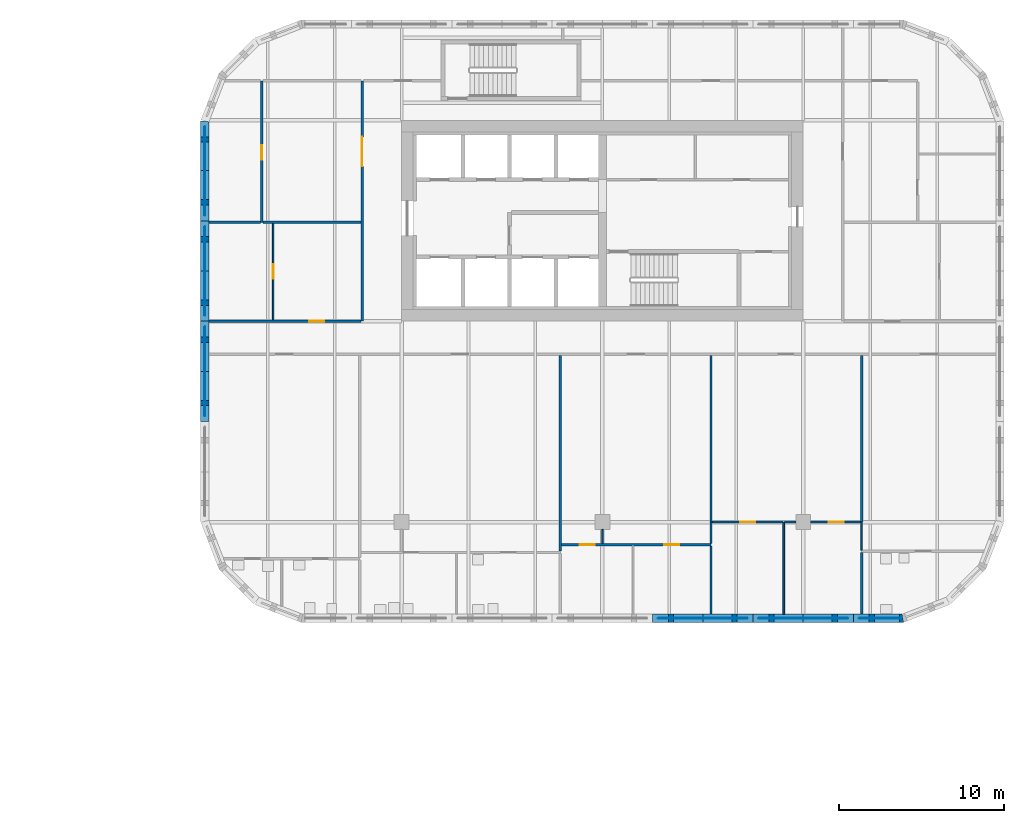
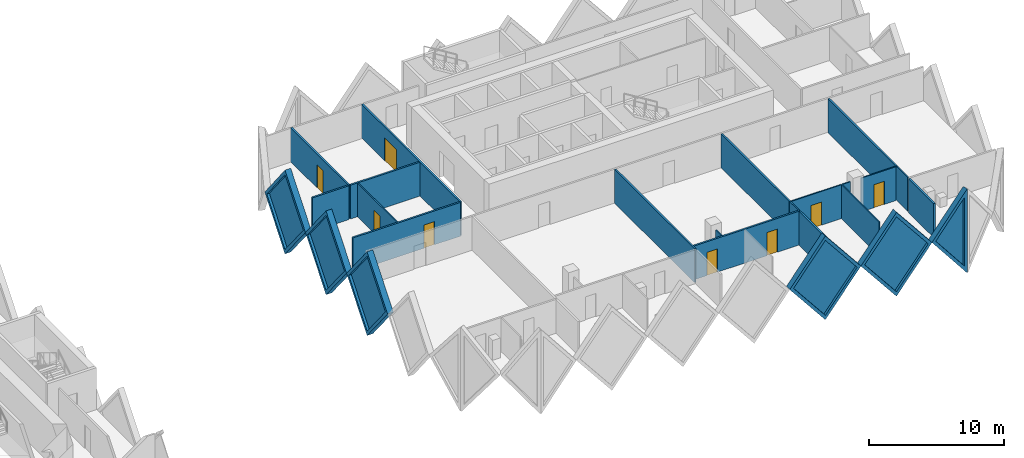
# One storey, part 12 of 20: 25 walls, 8 doors, 6 plates, 14 openings.
"""IFC4 building model written with IfcOpenShell, lengths in metres."""

import ifcopenshell
import ifcopenshell.guid

model = None  # the IFC model being written
_history = None  # IfcOwnerHistory: only IFC2X3 demands one
_inside = {}  # id of a spatial element -> (the spatial element, [elements in it])
_under = {}  # id of a project, library or spatial element -> (it, [spatial elements below it])
_declared = {}  # id of a project -> (the project, [libraries it declares])
_typed = {}  # id of a type object -> (the type object, [elements of that type])
_made_of = {}  # id of a material, layer set ... -> (it, [elements and type objects made of it])


def new_model(schema):
    """Start an empty IFC model of exactly this schema.

    Asked for "IFC4X3", IfcOpenShell would pick the latest addendum, in which some entities
    have other attributes; the version numbers below select the first issue.
    IFC2X3 requires an IfcOwnerHistory on every rooted entity: one is made here for all.
    """
    global model, _history
    if schema == "IFC4X3":
        model = ifcopenshell.file(schema_version=(4, 3, 0, 0))
    else:
        model = ifcopenshell.file(schema=schema)
    _inside.clear()
    _under.clear()
    _declared.clear()
    _typed.clear()
    _made_of.clear()
    _history = None
    if model.schema == "IFC2X3":
        org = make("IfcOrganization", Name="unknown")
        user = make(
            "IfcPersonAndOrganization",
            ThePerson=make("IfcPerson", FamilyName="unknown"),
            TheOrganization=org,
        )
        app = make(
            "IfcApplication",
            ApplicationDeveloper=org,
            Version="unknown",
            ApplicationFullName="unknown",
            ApplicationIdentifier="unknown",
        )
        _history = make(
            "IfcOwnerHistory",
            OwningUser=user,
            OwningApplication=app,
            ChangeAction="ADDED",
            CreationDate=0,
        )
    return model


def make(cls, **values):
    """One entity of the class cls with the attributes given. An attribute that is None is left unset."""
    return model.create_entity(
        cls, **{name: value for name, value in values.items() if value is not None}
    )


def rooted(cls, **values):
    """An entity with a GlobalId (a new one), such as an element, a storey or a relation."""
    return make(cls, GlobalId=ifcopenshell.guid.new(), OwnerHistory=_history, **values)


def si_unit(unit_type, name, prefix=None):
    """IfcSIUnit, for example si_unit("LENGTHUNIT", "METRE", prefix="MILLI")."""
    return make("IfcSIUnit", UnitType=unit_type, Prefix=prefix, Name=name)


def assignment(units):
    """IfcUnitAssignment: the units of a project."""
    return None if units is None else make("IfcUnitAssignment", Units=units)


def point(xyz):
    """IfcCartesianPoint."""
    return None if xyz is None else make("IfcCartesianPoint", Coordinates=xyz)


def direction(xyz):
    """IfcDirection."""
    return None if xyz is None else make("IfcDirection", DirectionRatios=xyz)


def frame(location, z_axis=None, x_axis=None):
    """IfcAxis2Placement3D, a coordinate frame: its origin and axes. An axis left out is left unset."""
    return make(
        "IfcAxis2Placement3D",
        Location=point(location),
        Axis=direction(z_axis),
        RefDirection=direction(x_axis),
    )


def frame_2d(location, x_axis=None):
    """IfcAxis2Placement2D, a coordinate frame in the plane: its origin and x axis."""
    return make(
        "IfcAxis2Placement2D", Location=point(location), RefDirection=direction(x_axis)
    )


def origin():
    """The frame at (0, 0, 0) with its axes left unset."""
    return frame((0.0, 0.0, 0.0))


def place(relative_to, where):
    """IfcLocalPlacement: puts the frame where relative to a parent placement (None: the world)."""
    return make(
        "IfcLocalPlacement", PlacementRelTo=relative_to, RelativePlacement=where
    )


def context(
    kind, dimensions, precision=None, world=None, true_north=None, identifier=None
):
    """IfcGeometricRepresentationContext, for example the 3D "Model" context."""
    return make(
        "IfcGeometricRepresentationContext",
        ContextIdentifier=identifier,
        ContextType=kind,
        CoordinateSpaceDimension=dimensions,
        Precision=precision,
        WorldCoordinateSystem=world,
        TrueNorth=true_north,
    )


def subcontext(parent, identifier, kind, view, scale=None):
    """IfcGeometricRepresentationSubContext, for example "Body" below "Model"."""
    return make(
        "IfcGeometricRepresentationSubContext",
        ContextIdentifier=identifier,
        ContextType=kind,
        ParentContext=parent,
        TargetScale=scale,
        TargetView=view,
    )


def project(units=None, contexts=None):
    """IfcProject with its units and contexts."""
    return rooted(
        "IfcProject",
        Name="project",
        RepresentationContexts=contexts,
        UnitsInContext=assignment(units),
    )


def spatial(cls, under=None, at=None, **own):
    """A site, building, storey or space (cls), placed at a placement, below another one or the project."""
    s = rooted(cls, ObjectPlacement=at, **own)
    if under is not None:
        _under.setdefault(under.id(), (under, []))[1].append(s)
    return s


def polyline(points):
    """IfcPolyline through the points."""
    return make("IfcPolyline", Points=[point(p) for p in points])


def profile(cls, at=None, kind="AREA", **sizes):
    """A parametric profile (cls). Its sizes go by their IFC names, for example OverallWidth=200.0."""
    return make(cls, ProfileType=kind, Position=at, **sizes)


def rectangle(**sizes):
    """IfcRectangleProfileDef."""
    return profile("IfcRectangleProfileDef", **sizes)


def outline(outer, holes=None, kind="AREA"):
    """IfcArbitraryClosedProfileDef: a profile drawn as a closed curve; with holes, ...WithVoids."""
    if holes is None:
        return make("IfcArbitraryClosedProfileDef", ProfileType=kind, OuterCurve=outer)
    return make(
        "IfcArbitraryProfileDefWithVoids",
        ProfileType=kind,
        OuterCurve=outer,
        InnerCurves=holes,
    )


def extrude(swept, where, along, depth):
    """IfcExtrudedAreaSolid: the profile swept, set in the frame where, extruded along a direction by depth."""
    return make(
        "IfcExtrudedAreaSolid",
        SweptArea=swept,
        Position=where,
        ExtrudedDirection=direction(along),
        Depth=depth,
    )


def faces_of(points, faces, orient=None, outer=None):
    """IfcFace entities. A face is a list of loops; a loop is a list of indices into points, from 0.

    orient and outer hold one flag for each loop. By default every Orientation is true, the
    first loop of a face is its IfcFaceOuterBound and the others are IfcFaceBound.
    """
    made = []
    for i, loops in enumerate(faces):
        bounds = []
        for j, loop in enumerate(loops):
            is_outer = j == 0 if outer is None else outer[i][j]
            bounds.append(
                make(
                    "IfcFaceOuterBound" if is_outer else "IfcFaceBound",
                    Bound=make("IfcPolyLoop", Polygon=[points[k] for k in loop]),
                    Orientation=True if orient is None else orient[i][j],
                )
            )
        made.append(make("IfcFace", Bounds=bounds))
    return made


def faceted_brep(points, faces, orient=None, outer=None, voids=None):
    """IfcFacetedBrep: a solid bounded by flat faces; with voids (closed shells), ...WithVoids."""
    shared = [point(p) for p in points]
    hull = make("IfcClosedShell", CfsFaces=faces_of(shared, faces, orient, outer))
    if voids is None:
        return make("IfcFacetedBrep", Outer=hull)
    return make(
        "IfcFacetedBrepWithVoids",
        Outer=hull,
        Voids=[
            make(cls, CfsFaces=faces_of(shared, fs, o, b)) for cls, fs, o, b in voids
        ],
    )


def shape(context_of_items, identifier, shape_type, items):
    """IfcShapeRepresentation: the items that make up one representation, for example the "Body"."""
    return make(
        "IfcShapeRepresentation",
        ContextOfItems=context_of_items,
        RepresentationIdentifier=identifier,
        RepresentationType=shape_type,
        Items=items,
    )


def source(mapping_origin, context_of_items, identifier, shape_type, items):
    """IfcRepresentationMap: a shape defined once, which mapped items show again and again."""
    return make(
        "IfcRepresentationMap",
        MappingOrigin=mapping_origin,
        MappedRepresentation=shape(context_of_items, identifier, shape_type, items),
    )


def transform(
    local_origin,
    x_axis=None,
    y_axis=None,
    z_axis=None,
    scale=None,
    scale2=None,
    scale3=None,
    uniform=True,
):
    """IfcCartesianTransformationOperator3D, or its non-uniform kind. x_axis, y_axis, z_axis: its Axis1, 2, 3."""
    if uniform:
        return make(
            "IfcCartesianTransformationOperator3D",
            Axis1=direction(x_axis),
            Axis2=direction(y_axis),
            LocalOrigin=point(local_origin),
            Scale=scale,
            Axis3=direction(z_axis),
        )
    return make(
        "IfcCartesianTransformationOperator3DnonUniform",
        Axis1=direction(x_axis),
        Axis2=direction(y_axis),
        LocalOrigin=point(local_origin),
        Scale=scale,
        Axis3=direction(z_axis),
        Scale2=scale2,
        Scale3=scale3,
    )


def mapped(mapping_source, mapping_target):
    """IfcMappedItem: shows the shape of a source again, moved by a transform."""
    return make(
        "IfcMappedItem", MappingSource=mapping_source, MappingTarget=mapping_target
    )


def material(Name=None, Category=None):
    """IfcMaterial."""
    return make("IfcMaterial", Name=Name, Category=Category)


def layer(
    of_material, thickness, ventilated=None, Name=None, Category=None, Priority=None
):
    """IfcMaterialLayer: one layer of a wall or slab, of a material (None: an air gap)."""
    return make(
        "IfcMaterialLayer",
        Material=of_material,
        LayerThickness=thickness,
        IsVentilated=ventilated,
        Name=Name,
        Category=Category,
        Priority=Priority,
    )


def layer_set(layers, Name=None):
    """IfcMaterialLayerSet."""
    return make("IfcMaterialLayerSet", MaterialLayers=layers, LayerSetName=Name)


def made_of(thing, what):
    """Note that an element or type object is made of a material, layer set ...; save() writes the relation."""
    if what is not None:
        _made_of.setdefault(what.id(), (what, []))[1].append(thing)
    return thing


def type_object(cls, material=None, **own):
    """A type object (cls), such as IfcWallType, which elements share."""
    return made_of(rooted(cls, **own), material)


def element(
    cls,
    number,
    at=None,
    inside=None,
    cuts=None,
    type_object=None,
    material=None,
    context=None,
    identifier="Body",
    shape_type=None,
    held_by="IfcProductDefinitionShape",
    body=None,
    shapes=None,
    **own,
):
    """One element of the class cls, such as IfcWall. Its Tag is "e" and its number.

    at: its placement. inside: the storey or other place that contains it. cuts: it is an
    opening in that element (IfcRelVoidsElement). A single representation is given by context,
    identifier, shape_type and body (its items); several are given by shapes. held_by: the class
    of the entity that holds the representations. save() writes the other relations.
    """
    e = rooted(cls, Tag="e%d" % number, ObjectPlacement=at, **own)
    if body is not None:
        shapes = [shape(context, identifier, shape_type, body)]
    if shapes is not None:
        e.Representation = make(held_by, Representations=shapes)
    if inside is not None:
        _inside.setdefault(inside.id(), (inside, []))[1].append(e)
    if cuts is not None:
        rooted(
            "IfcRelVoidsElement", RelatingBuildingElement=cuts, RelatedOpeningElement=e
        )
    if type_object is not None:
        _typed.setdefault(type_object.id(), (type_object, []))[1].append(e)
    return made_of(e, material)


def fill(opening, filler):
    """IfcRelFillsElement: the door or window that sits in an opening."""
    return rooted(
        "IfcRelFillsElement",
        RelatingOpeningElement=opening,
        RelatedBuildingElement=filler,
    )


def aggregate(whole, parts):
    """IfcRelAggregates: a whole, such as a stair, and the parts it consists of."""
    return rooted("IfcRelAggregates", RelatingObject=whole, RelatedObjects=parts)


def save(model, path):
    """Write the relations noted so far, then the file.

    IfcRelAggregates (storeys below a building ...), IfcRelContainedInSpatialStructure (elements
    in a storey), IfcRelDefinesByType, IfcRelAssociatesMaterial and IfcRelDeclares: one each for
    every whole, place, type object, material and project.
    """
    for whole, parts in _under.values():
        aggregate(whole, parts)
    for where, things in _inside.values():
        rooted(
            "IfcRelContainedInSpatialStructure",
            RelatedElements=things,
            RelatingStructure=where,
        )
    for kind, things in _typed.values():
        rooted("IfcRelDefinesByType", RelatedObjects=things, RelatingType=kind)
    for what, things in _made_of.values():
        rooted("IfcRelAssociatesMaterial", RelatedObjects=things, RelatingMaterial=what)
    for by, libraries in _declared.values():
        rooted("IfcRelDeclares", RelatingContext=by, RelatedDefinitions=libraries)
    model.write(path)


model = new_model("IFC4")

# Units and contexts
model_context = context("Model", 3, precision=1e-05, world=origin(), true_north=direction((0.0, 1.0)))
body_context = subcontext(model_context, "Body", "Model", "MODEL_VIEW")
ifc_project = project(units=[si_unit("LENGTHUNIT", "METRE"), si_unit("AREAUNIT", "SQUARE_METRE"), si_unit("VOLUMEUNIT", "CUBIC_METRE"), si_unit("PLANEANGLEUNIT", "RADIAN"), si_unit("MASSUNIT", "GRAM", prefix="KILO")], contexts=[model_context])

# Site, building, storey
site_placement = place(None, origin())
site = spatial("IfcSite", under=ifc_project, at=site_placement, CompositionType="ELEMENT")
building_placement = place(site_placement, origin())
building = spatial("IfcBuilding", under=site, at=building_placement, Name="Tessera Gate Towers", CompositionType="ELEMENT")
storey_placement = place(building_placement, frame((0.0, 0.0, 48.60009765625)))
storey = spatial("IfcBuildingStorey", under=building, at=storey_placement, Name="L11", CompositionType="ELEMENT", Elevation=48.60009765625)

# Wall, opening, door
ifc_material_1 = material(Name="Gypsum board on steel studs, mineral wool", Category="steel")
ifc_layer_1 = layer(ifc_material_1, 0.14990234375)
ifc_layer_set_1 = layer_set([ifc_layer_1], Name="CORRIDOR WALL 150")
wall_type_1 = type_object("IfcWallType", Name="CORRIDOR WALL 150", PredefinedType="PARTITIONING", material=ifc_layer_set_1)
wall_1_placement = place(storey_placement, frame((85.89990234375, 36.60009765625, 0.0), z_axis=(0.0, 0.0, 1.0), x_axis=(1.0, 0.0, 0.0)))
wall_1 = element("IfcWall", 1, at=wall_1_placement, inside=storey, type_object=wall_type_1, Name="T2-L11-PW-025", PredefinedType="PARTITIONING", context=body_context, shape_type="SweptSolid", body=[
    extrude(rectangle(XDim=9.22412109375, YDim=0.14990234375, at=frame_2d((4.612060546875, 0.0))), origin(), (0.0, 0.0, 1.0), 3.06689453125),
])
shared_shape_1 = source(origin(), body_context, "Body", "SweptSolid", [
    extrude(rectangle(XDim=0.89990234375, YDim=2.10009765625, at=frame_2d((0.449951171875, 1.050048828125))), frame((0.0, 0.0849609375, 0.0), z_axis=(0.0, -1.0, 0.0), x_axis=(1.0, 0.0, 0.0)), (0.0, 0.0, 1.0), 0.169921875),
])
opening_1_placement = place(wall_1_placement, frame((6.10009765625, 0.0, 0.0)))
opening_1 = element("IfcOpeningElement", 2, at=opening_1_placement, cuts=wall_1, Name="Opening D890FD60-B05-02", PredefinedType="OPENING", context=body_context, shape_type="MappedRepresentation", body=[
    mapped(shared_shape_1, transform((0.0, 0.0, 0.0), scale=1.0)),
])
ifc_material_2 = material(Name="Timber door leaf in steel frame", Category="steel")
door_type_1 = type_object("IfcDoorType", Name="CORRIDOR DOOR 900 FD60", OperationType="NOTDEFINED", PredefinedType="DOOR", material=ifc_material_2)
shared_shape_2 = source(origin(), body_context, "Body", "SweptSolid", [
    extrude(rectangle(XDim=0.89990234375, YDim=2.10009765625, at=frame_2d((0.449951171875, 1.050048828125))), frame((0.0, 0.02490234375, 0.0), z_axis=(0.0, -1.0, 0.0), x_axis=(1.0, 0.0, 0.0)), (0.0, 0.0, 1.0), 0.050048828125),
])
door_1_placement = place(opening_1_placement, origin())
door_1 = element("IfcDoor", 3, at=door_1_placement, inside=storey, type_object=door_type_1, Name="T2-L11-PD-022", OperationType="SINGLE_SWING_LEFT", OverallHeight=2.10009765625, OverallWidth=0.89990234375, PredefinedType="DOOR", context=body_context, shape_type="MappedRepresentation", body=[
    mapped(shared_shape_2, transform((0.0, 0.0, 0.0), scale=1.0)),
])
fill(opening_1, door_1)

wall_2_placement = place(storey_placement, frame((95.199951171875, 36.60009765625, 0.0), z_axis=(0.0, 0.0, 1.0), x_axis=(0.0, 1.0, 0.0)))
wall_2 = element("IfcWall", 4, at=wall_2_placement, inside=storey, type_object=wall_type_1, Name="T2-L11-PW-026", PredefinedType="PARTITIONING", context=body_context, shape_type="SweptSolid", body=[
    extrude(rectangle(XDim=14.599853515625, YDim=0.14990234375, at=frame_2d((7.2998046875, 0.0))), origin(), (0.0, 0.0, 1.0), 3.06689453125),
])
shared_shape_3 = source(origin(), body_context, "Body", "SweptSolid", [
    extrude(rectangle(XDim=1.800048828125, YDim=2.10009765625, at=frame_2d((0.89990234375, 1.050048828125))), frame((0.0, 0.0849609375, 0.0), z_axis=(0.0, -1.0, 0.0), x_axis=(1.0, 0.0, 0.0)), (0.0, 0.0, 1.0), 0.169921875),
])
opening_2_placement = place(wall_2_placement, frame((9.39990234375, 0.0, 0.0)))
opening_2 = element("IfcOpeningElement", 5, at=opening_2_placement, cuts=wall_2, Name="Opening D2180FD60-B05-01", PredefinedType="OPENING", context=body_context, shape_type="MappedRepresentation", body=[
    mapped(shared_shape_3, transform((0.0, 0.0, 0.0), scale=1.0)),
])
ifc_material_3 = material(Name="Timber door leaf in steel frame", Category="steel")
door_type_2 = type_object("IfcDoorType", Name="TENANCY ENTRANCE DOUBLE DOOR 1800 FD60", OperationType="NOTDEFINED", PredefinedType="DOOR", material=ifc_material_3)
shared_shape_4 = source(origin(), body_context, "Body", "SweptSolid", [
    extrude(rectangle(XDim=1.800048828125, YDim=2.10009765625, at=frame_2d((0.89990234375, 1.050048828125))), frame((0.0, 0.02490234375, 0.0), z_axis=(0.0, -1.0, 0.0), x_axis=(1.0, 0.0, 0.0)), (0.0, 0.0, 1.0), 0.050048828125),
])
door_2_placement = place(opening_2_placement, origin())
door_2 = element("IfcDoor", 6, at=door_2_placement, inside=storey, type_object=door_type_2, Name="T2-L11-PD-016", OperationType="DOUBLE_DOOR_SINGLE_SWING", OverallHeight=2.10009765625, OverallWidth=1.800048828125, PredefinedType="DOOR", context=body_context, shape_type="MappedRepresentation", body=[
    mapped(shared_shape_4, transform((0.0, 0.0, 0.0), scale=1.0)),
])
fill(opening_2, door_2)

# Walls
ifc_material_4 = material(Name="Glass", Category="glass")
ifc_layer_2 = layer(ifc_material_4, 0.10009765625)
ifc_layer_set_2 = layer_set([ifc_layer_2], Name="GLAZED PARTITION 100")
wall_type_2 = type_object("IfcWallType", Name="GLAZED PARTITION 100", PredefinedType="PARTITIONING", material=ifc_layer_set_2)
wall_3_placement = place(storey_placement, frame((125.550048828125, 22.700927734375, 0.0), z_axis=(0.0, 0.0, 1.0), x_axis=(0.0, 1.0, 0.0)))
element("IfcWall", 7, at=wall_3_placement, inside=storey, type_object=wall_type_2, Name="T2-L11-PW-014", PredefinedType="PARTITIONING", context=body_context, shape_type="SweptSolid", body=[
    extrude(rectangle(XDim=1.697998046875, YDim=0.10009765625, at=frame_2d((0.84912109375, 0.0))), origin(), (0.0, 0.0, 1.0), 3.06689453125),
])
wall_4_placement = place(storey_placement, frame((116.39990234375, 23.10107421875, 0.0), z_axis=(0.0, 0.0, 1.0), x_axis=(0.0, 1.0, 0.0)))
element("IfcWall", 8, at=wall_4_placement, inside=storey, type_object=wall_type_2, Name="T2-L11-PW-016", PredefinedType="PARTITIONING", context=body_context, shape_type="SweptSolid", body=[
    extrude(rectangle(XDim=1.2978515625, YDim=0.10009765625, at=frame_2d((0.64892578125, 0.0))), origin(), (0.0, 0.0, 1.0), 3.06689453125),
])

# Wall, opening, door
wall_5_placement = place(storey_placement, frame((120.769287109375, 24.39990234375, 0.0), z_axis=(0.0, 0.0, 1.0), x_axis=(-1.0, 0.0, 0.0)))
wall_5 = element("IfcWall", 9, at=wall_5_placement, inside=storey, type_object=wall_type_2, Name="T2-L11-PW-020", PredefinedType="PARTITIONING", context=body_context, shape_type="SweptSolid", body=[
    extrude(rectangle(XDim=4.293212890625, YDim=0.10009765625, at=frame_2d((2.146484375, 0.0))), origin(), (0.0, 0.0, 1.0), 3.06689453125),
])
shared_shape_5 = source(origin(), body_context, "Body", "SweptSolid", [
    extrude(rectangle(XDim=0.89990234375, YDim=2.10009765625, at=frame_2d((0.449951171875, 1.050048828125))), frame((0.0, 0.06005859375, 0.0), z_axis=(0.0, -1.0, 0.0), x_axis=(1.0, 0.0, 0.0)), (0.0, 0.0, 1.0), 0.1201171875),
])
opening_3_placement = place(wall_5_placement, frame((1.693359375, 0.0, 0.0)))
opening_3 = element("IfcOpeningElement", 10, at=opening_3_placement, cuts=wall_5, Name="Opening D690-B05-02", PredefinedType="OPENING", context=body_context, shape_type="MappedRepresentation", body=[
    mapped(shared_shape_5, transform((0.0, 0.0, 0.0), scale=1.0)),
])
ifc_material_5 = material(Name="Glass in aluminium frame", Category="aluminium")
door_type_3 = type_object("IfcDoorType", Name="GLAZED DOOR 900 NOT RATED", OperationType="NOTDEFINED", PredefinedType="DOOR", material=ifc_material_5)
door_3_placement = place(opening_3_placement, origin())
door_3 = element("IfcDoor", 11, at=door_3_placement, inside=storey, type_object=door_type_3, Name="T2-L11-PD-004", OperationType="SINGLE_SWING_RIGHT", OverallHeight=2.10009765625, OverallWidth=0.89990234375, PredefinedType="DOOR", context=body_context, shape_type="MappedRepresentation", body=[
    mapped(shared_shape_2, transform((0.0, 0.0, 0.0), scale=1.0)),
])
fill(opening_3, door_3)

# Wall
wall_6_placement = place(storey_placement, frame((120.871337890625, 24.39990234375, 0.0), z_axis=(0.0, 0.0, 1.0), x_axis=(1.0, 0.0, 0.0)))
element("IfcWall", 12, at=wall_6_placement, inside=storey, type_object=wall_type_2, Name="T2-L11-PW-021", PredefinedType="PARTITIONING", context=body_context, shape_type="SweptSolid", body=[
    extrude(rectangle(XDim=0.677734375, YDim=0.10009765625, at=frame_2d((0.3388671875, 0.0))), origin(), (0.0, 0.0, 1.0), 3.06689453125),
])

# Wall, opening, door
wall_7_placement = place(storey_placement, frame((125.47412109375, 24.39990234375, 0.0), z_axis=(0.0, 0.0, 1.0), x_axis=(-1.0, 0.0, 0.0)))
wall_7 = element("IfcWall", 13, at=wall_7_placement, inside=storey, type_object=wall_type_2, Name="T2-L11-PW-022", PredefinedType="PARTITIONING", context=body_context, shape_type="SweptSolid", body=[
    extrude(rectangle(XDim=3.023193359375, YDim=0.10009765625, at=frame_2d((1.51171875, 0.0))), origin(), (0.0, 0.0, 1.0), 3.06689453125),
])
opening_4_placement = place(wall_7_placement, frame((1.02294921875, 0.0, 0.0)))
opening_4 = element("IfcOpeningElement", 14, at=opening_4_placement, cuts=wall_7, Name="Opening D690-B05-01", PredefinedType="OPENING", context=body_context, shape_type="MappedRepresentation", body=[
    mapped(shared_shape_5, transform((0.0, 0.0, 0.0), scale=1.0)),
])
door_4_placement = place(opening_4_placement, origin())
door_4 = element("IfcDoor", 15, at=door_4_placement, inside=storey, type_object=door_type_3, Name="T2-L11-PD-002", OperationType="SINGLE_SWING_RIGHT", OverallHeight=2.10009765625, OverallWidth=0.89990234375, PredefinedType="DOOR", context=body_context, shape_type="MappedRepresentation", body=[
    mapped(shared_shape_2, transform((0.0, 0.0, 0.0), scale=1.0)),
])
fill(opening_4, door_4)

wall_8_placement = place(storey_placement, frame((89.800048828125, 36.676025390625, 0.0), z_axis=(0.0, 0.0, 1.0), x_axis=(0.0, 1.0, 0.0)))
wall_8 = element("IfcWall", 16, at=wall_8_placement, inside=storey, type_object=wall_type_2, Name="T2-L11-PW-029", PredefinedType="PARTITIONING", context=body_context, shape_type="SweptSolid", body=[
    extrude(rectangle(XDim=5.847900390625, YDim=0.10009765625, at=frame_2d((2.923828125, 0.0))), origin(), (0.0, 0.0, 1.0), 3.06689453125),
])
opening_5_placement = place(wall_8_placement, frame((2.5, 0.0, 0.0)))
opening_5 = element("IfcOpeningElement", 17, at=opening_5_placement, cuts=wall_8, Name="Opening D690-B05-03", PredefinedType="OPENING", context=body_context, shape_type="MappedRepresentation", body=[
    mapped(shared_shape_5, transform((0.0, 0.0, 0.0), scale=1.0)),
])
door_5_placement = place(opening_5_placement, origin())
door_5 = element("IfcDoor", 18, at=door_5_placement, inside=storey, type_object=door_type_3, Name="T2-L11-PD-010", OperationType="SINGLE_SWING_LEFT", OverallHeight=2.10009765625, OverallWidth=0.89990234375, PredefinedType="DOOR", context=body_context, shape_type="MappedRepresentation", body=[
    mapped(shared_shape_2, transform((0.0, 0.0, 0.0), scale=1.0)),
])
fill(opening_5, door_5)

# Walls
ifc_material_6 = material(Name="Gypsum board on steel studs", Category="steel")
ifc_layer_3 = layer(ifc_material_6, 0.10009765625)
ifc_layer_set_3 = layer_set([ifc_layer_3], Name="PARTITION 100")
wall_type_3 = type_object("IfcWallType", Name="PARTITION 100", PredefinedType="PARTITIONING", material=ifc_layer_set_3)
wall_9_placement = place(storey_placement, frame((120.820068359375, 18.800048828125, 0.0), z_axis=(0.0, 0.0, 1.0), x_axis=(0.0, 1.0, 0.0)))
element("IfcWall", 19, at=wall_9_placement, inside=storey, type_object=wall_type_3, Name="T2-L11-PW-006", PredefinedType="PARTITIONING", context=body_context, shape_type="SweptSolid", body=[
    extrude(rectangle(XDim=5.599853515625, YDim=0.10009765625, at=frame_2d((2.7998046875, 0.0))), origin(), (0.0, 0.0, 1.0), 3.06689453125),
])
wall_10_placement = place(storey_placement, frame((109.800048828125, 23.949951171875, 0.0), z_axis=(0.0, 0.0, 1.0), x_axis=(0.0, -1.0, 0.0)))
element("IfcWall", 20, at=wall_10_placement, inside=storey, type_object=wall_type_3, Name="T2-L11-PW-018", PredefinedType="PARTITIONING", context=body_context, shape_type="SweptSolid", body=[
    extrude(rectangle(XDim=0.849853515625, YDim=0.10009765625, at=frame_2d((0.4248046875, 0.0))), origin(), (0.0, 0.0, 1.0), 3.06689453125),
])
ifc_material_7 = material(Name="Gypsum board on steel studs, mineral wool", Category="steel")
ifc_layer_4 = layer(ifc_material_7, 0.14990234375)
ifc_layer_set_4 = layer_set([ifc_layer_4], Name="TENANCY WALL 150")
wall_type_4 = type_object("IfcWallType", Name="TENANCY WALL 150", PredefinedType="PARTITIONING", material=ifc_layer_set_4)
wall_11_placement = place(storey_placement, frame((116.39990234375, 18.800048828125, 0.0), z_axis=(0.0, 0.0, 1.0), x_axis=(0.0, 1.0, 0.0)))
element("IfcWall", 21, at=wall_11_placement, inside=storey, type_object=wall_type_4, Name="T2-L11-PW-005", PredefinedType="PARTITIONING", context=body_context, shape_type="SweptSolid", body=[
    extrude(rectangle(XDim=4.14892578125, YDim=0.14990234375, at=frame_2d((2.074462890625, 0.0))), origin(), (0.0, 0.0, 1.0), 3.06689453125),
])
wall_12_placement = place(storey_placement, frame((125.550048828125, 18.800048828125, 0.0), z_axis=(0.0, 0.0, 1.0), x_axis=(0.0, 1.0, 0.0)))
element("IfcWall", 22, at=wall_12_placement, inside=storey, type_object=wall_type_4, Name="T2-L11-PW-007", PredefinedType="PARTITIONING", context=body_context, shape_type="SweptSolid", body=[
    extrude(rectangle(XDim=3.7490234375, YDim=0.14990234375, at=frame_2d((1.87451171875, 0.0))), origin(), (0.0, 0.0, 1.0), 3.06689453125),
])
wall_13_placement = place(storey_placement, frame((107.25, 22.6259765625, 0.0), z_axis=(0.0, 0.0, 1.0), x_axis=(0.0, 1.0, 0.0)))
element("IfcWall", 23, at=wall_13_placement, inside=storey, type_object=wall_type_4, Name="T2-L11-PW-013", PredefinedType="PARTITIONING", context=body_context, shape_type="SweptSolid", body=[
    extrude(rectangle(XDim=11.89794921875, YDim=0.14990234375, at=frame_2d((5.948974609375, 0.0))), origin(), (0.0, 0.0, 1.0), 3.06689453125),
])

# Wall, openings, doors
wall_14_placement = place(storey_placement, frame((116.39990234375, 23.02490234375, 0.0), z_axis=(0.0, 0.0, 1.0), x_axis=(-1.0, 0.0, 0.0)))
wall_14 = element("IfcWall", 24, at=wall_14_placement, inside=storey, type_object=wall_type_4, Name="T2-L11-PW-015", PredefinedType="PARTITIONING", context=body_context, shape_type="SweptSolid", body=[
    extrude(rectangle(XDim=9.073974609375, YDim=0.14990234375, at=frame_2d((4.537109375, 0.0))), origin(), (0.0, 0.0, 1.0), 3.06689453125),
])
opening_6_placement = place(wall_14_placement, frame((7.073974609375, 0.0, 0.0)))
opening_6 = element("IfcOpeningElement", 25, at=opening_6_placement, cuts=wall_14, Name="Opening D190-B05-03", PredefinedType="OPENING", context=body_context, shape_type="MappedRepresentation", body=[
    mapped(shared_shape_1, transform((0.0, 0.0, 0.0), scale=1.0)),
])
opening_7_placement = place(wall_14_placement, frame((1.9296875, 0.0, 0.0)))
opening_7 = element("IfcOpeningElement", 26, at=opening_7_placement, cuts=wall_14, Name="Opening D190-B05-05", PredefinedType="OPENING", context=body_context, shape_type="MappedRepresentation", body=[
    mapped(shared_shape_1, transform((0.0, 0.0, 0.0), scale=1.0)),
])
ifc_material_8 = material(Name="Timber door leaf in steel frame", Category="steel")
door_type_4 = type_object("IfcDoorType", Name="INTERNAL DOOR 900 NOT RATED", OperationType="NOTDEFINED", PredefinedType="DOOR", material=ifc_material_8)
door_6_placement = place(opening_6_placement, origin())
door_6 = element("IfcDoor", 27, at=door_6_placement, inside=storey, type_object=door_type_4, Name="T2-L11-PD-005", OperationType="SINGLE_SWING_LEFT", OverallHeight=2.10009765625, OverallWidth=0.89990234375, PredefinedType="DOOR", context=body_context, shape_type="MappedRepresentation", body=[
    mapped(shared_shape_2, transform((0.0, 0.0, 0.0), scale=1.0)),
])
fill(opening_6, door_6)
door_7_placement = place(opening_7_placement, origin())
door_7 = element("IfcDoor", 28, at=door_7_placement, inside=storey, type_object=door_type_4, Name="T2-L11-PD-008", OperationType="SINGLE_SWING_RIGHT", OverallHeight=2.10009765625, OverallWidth=0.89990234375, PredefinedType="DOOR", context=body_context, shape_type="MappedRepresentation", body=[
    mapped(shared_shape_2, transform((0.0, 0.0, 0.0), scale=1.0)),
])
fill(opening_7, door_7)

# Walls
for number, where, z_axis, x_axis, name in (
    (29, (116.39990234375, 24.39990234375, 0.0), (0.0, 0.0, 1.0), (0.0, 1.0, 0.0), "T2-L11-PW-019"),
    (30, (125.550048828125, 24.39990234375, 0.0), (0.0, 0.0, 1.0), (0.0, 1.0, 0.0), "T2-L11-PW-023"),
):
    element("IfcWall", number, at=place(storey_placement, frame(where, z_axis=z_axis, x_axis=x_axis)), inside=storey, type_object=wall_type_4, Name=name, PredefinedType="PARTITIONING", context=body_context, shape_type="SweptSolid", body=[
        extrude(rectangle(XDim=10.1240234375, YDim=0.14990234375, at=frame_2d((5.06201171875, 0.0))), origin(), (0.0, 0.0, 1.0), 3.06689453125),
    ])
wall_15_placement = place(storey_placement, frame((85.89990234375, 42.60009765625, 0.0), z_axis=(0.0, 0.0, 1.0), x_axis=(1.0, 0.0, 0.0)))
element("IfcWall", 31, at=wall_15_placement, inside=storey, type_object=wall_type_4, Name="T2-L11-PW-031", PredefinedType="PARTITIONING", context=body_context, shape_type="SweptSolid", body=[
    extrude(rectangle(XDim=3.1240234375, YDim=0.14990234375, at=frame_2d((1.56201171875, 0.0))), origin(), (0.0, 0.0, 1.0), 3.06689453125),
])

# Wall, opening, door
wall_16_placement = place(storey_placement, frame((89.10009765625, 42.60009765625, 0.0), z_axis=(0.0, 0.0, 1.0), x_axis=(0.0, 1.0, 0.0)))
wall_16 = element("IfcWall", 32, at=wall_16_placement, inside=storey, type_object=wall_type_4, Name="T2-L11-PW-032", PredefinedType="PARTITIONING", context=body_context, shape_type="SweptSolid", body=[
    extrude(rectangle(XDim=8.599853515625, YDim=0.14990234375, at=frame_2d((4.2998046875, 0.0))), origin(), (0.0, 0.0, 1.0), 3.06689453125),
])
opening_8_placement = place(wall_16_placement, frame((3.800048828125, 0.0, 0.0)))
opening_8 = element("IfcOpeningElement", 33, at=opening_8_placement, cuts=wall_16, Name="Opening D190-B05-10", PredefinedType="OPENING", context=body_context, shape_type="MappedRepresentation", body=[
    mapped(shared_shape_1, transform((0.0, 0.0, 0.0), scale=1.0)),
])
door_8_placement = place(opening_8_placement, origin())
door_8 = element("IfcDoor", 34, at=door_8_placement, inside=storey, type_object=door_type_4, Name="T2-L11-PD-017", OperationType="SINGLE_SWING_LEFT", OverallHeight=2.10009765625, OverallWidth=0.89990234375, PredefinedType="DOOR", context=body_context, shape_type="MappedRepresentation", body=[
    mapped(shared_shape_2, transform((0.0, 0.0, 0.0), scale=1.0)),
])
fill(opening_8, door_8)

# Wall
wall_17_placement = place(storey_placement, frame((89.176025390625, 42.60009765625, 0.0), z_axis=(0.0, 0.0, 1.0), x_axis=(1.0, 0.0, 0.0)))
element("IfcWall", 35, at=wall_17_placement, inside=storey, type_object=wall_type_4, Name="T2-L11-PW-033", PredefinedType="PARTITIONING", context=body_context, shape_type="SweptSolid", body=[
    extrude(rectangle(XDim=5.947998046875, YDim=0.14990234375, at=frame_2d((2.97412109375, 0.0))), origin(), (0.0, 0.0, 1.0), 3.06689453125),
])

# Wall, opening, plate
ifc_material_9 = material(Name="Precast concrete C60/75 white", Category="concrete")
ifc_layer_5 = layer(ifc_material_9, 0.5)
ifc_layer_set_5 = layer_set([ifc_layer_5], Name="TS1 tessera")
wall_type_5 = type_object("IfcWallType", Name="TS1 tessera", PredefinedType="SOLIDWALL", material=ifc_layer_set_5)
shared_shape_6 = source(origin(), body_context, "Body", "Brep", [
    faceted_brep([(3.00341796875, -0.25, 0.0), (6.053466796875, -0.25, 3.800048828125), (3.00341796875, -0.25, 7.599853515625), (0.0, -0.25, 3.800048828125), (0.046630859375, 0.25, 3.85888671875), (3.00341796875, 0.25, 7.599853515625), (6.053466796875, 0.25, 3.800048828125), (3.00341796875, 0.25, 0.0), (0.046630859375, 0.25, 3.7412109375), (0.0, 0.0, 3.800048828125)], [[[0, 1, 2, 3]], [[4, 5, 6, 7, 8]], [[7, 6, 1, 0]], [[6, 5, 2, 1]], [[5, 4, 9, 3, 2]], [[8, 7, 0, 3, 9]], [[8, 9, 4]]]),
])
wall_18_placement = place(storey_placement, frame((85.64990234375, 48.75341796875, -3.800048828125), z_axis=(0.0, 0.0, 1.0), x_axis=(0.0, -1.0, 0.0)))
wall_18 = element("IfcWall", 36, at=wall_18_placement, inside=storey, type_object=wall_type_5, Name="Precast tessera T2 TS1-0122", PredefinedType="SOLIDWALL", context=body_context, shape_type="MappedRepresentation", body=[
    mapped(shared_shape_6, transform((0.0, 0.0, 0.0), scale=1.0)),
])
shared_shape_7 = source(origin(), body_context, "Body", "SweptSolid", [
    extrude(outline(polyline([(3.0048828125, 0.401123046875), (5.73291015625, 3.800048828125), (3.0048828125, 7.19873046875), (0.318603515625, 3.800048828125), (3.0048828125, 0.401123046875)])), frame((0.0, 0.260009765625, 0.0), z_axis=(0.0, -1.0, 0.0), x_axis=(1.0, 0.0, 0.0)), (0.0, 0.0, 1.0), 0.52001953125),
])
opening_9_placement = place(wall_18_placement, origin())
opening_9 = element("IfcOpeningElement", 37, at=opening_9_placement, cuts=wall_18, Name="Opening T2-PL2-0232", PredefinedType="OPENING", context=body_context, shape_type="MappedRepresentation", body=[
    mapped(shared_shape_7, transform((0.0, 0.0, 0.0), scale=1.0)),
])
ifc_material_10 = material(Name="Low-e laminated glass", Category="glass")
ifc_layer_6 = layer(ifc_material_10, 0.06005859375)
ifc_layer_set_6 = layer_set([ifc_layer_6], Name="PL2 rhombic pane")
plate_type = type_object("IfcPlateType", Name="PL2 rhombic pane", PredefinedType="SHEET", material=ifc_layer_set_6)
shared_shape_8 = source(origin(), body_context, "Body", "SweptSolid", [
    extrude(outline(polyline([(3.0048828125, 0.401123046875), (5.73291015625, 3.800048828125), (3.0048828125, 7.19873046875), (0.318603515625, 3.800048828125), (3.0048828125, 0.401123046875)])), frame((0.0, 0.030029296875, 0.0), z_axis=(0.0, -1.0, 0.0), x_axis=(1.0, 0.0, 0.0)), (0.0, 0.0, 1.0), 0.06005859375),
])
plate_1_placement = place(opening_9_placement, origin())
plate_1 = element("IfcPlate", 38, at=plate_1_placement, inside=storey, type_object=plate_type, Name="Glass pane T2 PL2-0232", PredefinedType="SHEET", context=body_context, shape_type="MappedRepresentation", body=[
    mapped(shared_shape_8, transform((0.0, 0.0, 0.0), scale=1.0)),
])
fill(opening_9, plate_1)

shared_shape_9 = source(origin(), body_context, "Body", "Brep", [
    faceted_brep([(3.050048828125, -0.25, 0.0), (6.099853515625, -0.25, 3.7998046875), (6.099853515625, -0.25, 3.80029296875), (3.050048828125, -0.25, 7.599853515625), (0.0, -0.25, 3.800048828125), (0.0, 0.25, 3.800048828125), (3.050048828125, 0.25, 7.599853515625), (6.099853515625, 0.25, 3.80029296875), (6.099853515625, 0.25, 3.7998046875), (3.050048828125, 0.25, 0.0)], [[[0, 1, 2, 3, 4]], [[5, 6, 7, 8, 9]], [[9, 8, 1, 0]], [[7, 6, 3, 2]], [[6, 5, 4, 3]], [[5, 9, 0, 4]], [[1, 8, 7, 2]]]),
])
wall_19_placement = place(storey_placement, frame((112.85009765625, 18.550048828125, -3.800048828125), z_axis=(0.0, 0.0, 1.0), x_axis=(1.0, 0.0, 0.0)))
wall_19 = element("IfcWall", 39, at=wall_19_placement, inside=storey, type_object=wall_type_5, Name="Precast tessera T2 TS1-0111", PredefinedType="SOLIDWALL", context=body_context, shape_type="MappedRepresentation", body=[
    mapped(shared_shape_9, transform((0.0, 0.0, 0.0), scale=1.0)),
])
shared_shape_10 = source(origin(), body_context, "Body", "SweptSolid", [
    extrude(outline(polyline([(3.050048828125, 0.3994140625), (5.779541015625, 3.800048828125), (3.050048828125, 7.200439453125), (0.320556640625, 3.800048828125), (3.050048828125, 0.3994140625)])), frame((0.0, 0.260009765625, 0.0), z_axis=(0.0, -1.0, 0.0), x_axis=(1.0, 0.0, 0.0)), (0.0, 0.0, 1.0), 0.52001953125),
])
opening_10_placement = place(wall_19_placement, origin())
opening_10 = element("IfcOpeningElement", 40, at=opening_10_placement, cuts=wall_19, Name="Opening T2-PL2-0209", PredefinedType="OPENING", context=body_context, shape_type="MappedRepresentation", body=[
    mapped(shared_shape_10, transform((0.0, 0.0, 0.0), scale=1.0)),
])
shared_shape_11 = source(origin(), body_context, "Body", "SweptSolid", [
    extrude(outline(polyline([(3.050048828125, 0.3994140625), (5.779541015625, 3.800048828125), (3.050048828125, 7.200439453125), (0.320556640625, 3.800048828125), (3.050048828125, 0.3994140625)])), frame((0.0, 0.030029296875, 0.0), z_axis=(0.0, -1.0, 0.0), x_axis=(1.0, 0.0, 0.0)), (0.0, 0.0, 1.0), 0.06005859375),
])
plate_2_placement = place(opening_10_placement, origin())
plate_2 = element("IfcPlate", 41, at=plate_2_placement, inside=storey, type_object=plate_type, Name="Glass pane T2 PL2-0209", PredefinedType="SHEET", context=body_context, shape_type="MappedRepresentation", body=[
    mapped(shared_shape_11, transform((0.0, 0.0, 0.0), scale=1.0)),
])
fill(opening_10, plate_2)

wall_20_placement = place(storey_placement, frame((85.64990234375, 42.699951171875, -3.800048828125), z_axis=(0.0, 0.0, 1.0), x_axis=(0.0, -1.0, 0.0)))
wall_20 = element("IfcWall", 42, at=wall_20_placement, inside=storey, type_object=wall_type_5, Name="Precast tessera T2 TS1-0123", PredefinedType="SOLIDWALL", context=body_context, shape_type="MappedRepresentation", body=[
    mapped(shared_shape_9, transform((0.0, 0.0, 0.0), scale=1.0)),
])
opening_11_placement = place(wall_20_placement, origin())
opening_11 = element("IfcOpeningElement", 43, at=opening_11_placement, cuts=wall_20, Name="Opening T2-PL2-0233", PredefinedType="OPENING", context=body_context, shape_type="MappedRepresentation", body=[
    mapped(shared_shape_10, transform((0.0, 0.0, 0.0), scale=1.0)),
])
plate_3_placement = place(opening_11_placement, origin())
plate_3 = element("IfcPlate", 44, at=plate_3_placement, inside=storey, type_object=plate_type, Name="Glass pane T2 PL2-0233", PredefinedType="SHEET", context=body_context, shape_type="MappedRepresentation", body=[
    mapped(shared_shape_11, transform((0.0, 0.0, 0.0), scale=1.0)),
])
fill(opening_11, plate_3)

shared_shape_12 = source(origin(), body_context, "Body", "SweptSolid", [
    extrude(outline(polyline([(3.050048828125, 0.0), (6.10009765625, 3.800048828125), (3.050048828125, 7.599853515625), (0.0, 3.800048828125), (3.050048828125, 0.0)])), frame((0.0, 0.25, 0.0), z_axis=(0.0, -1.0, 0.0), x_axis=(1.0, 0.0, 0.0)), (0.0, 0.0, 1.0), 0.5),
])
wall_21_placement = place(storey_placement, frame((118.949951171875, 18.550048828125, -3.800048828125), z_axis=(0.0, 0.0, 1.0), x_axis=(1.0, 0.0, 0.0)))
wall_21 = element("IfcWall", 45, at=wall_21_placement, inside=storey, type_object=wall_type_5, Name="Precast tessera T2 TS1-0112", PredefinedType="SOLIDWALL", context=body_context, shape_type="MappedRepresentation", body=[
    mapped(shared_shape_12, transform((0.0, 0.0, 0.0), scale=1.0)),
])
opening_12_placement = place(wall_21_placement, origin())
opening_12 = element("IfcOpeningElement", 46, at=opening_12_placement, cuts=wall_21, Name="Opening T2-PL2-0210", PredefinedType="OPENING", context=body_context, shape_type="MappedRepresentation", body=[
    mapped(shared_shape_10, transform((0.0, 0.0, 0.0), scale=1.0)),
])
plate_4_placement = place(opening_12_placement, origin())
plate_4 = element("IfcPlate", 47, at=plate_4_placement, inside=storey, type_object=plate_type, Name="Glass pane T2 PL2-0210", PredefinedType="SHEET", context=body_context, shape_type="MappedRepresentation", body=[
    mapped(shared_shape_11, transform((0.0, 0.0, 0.0), scale=1.0)),
])
fill(opening_12, plate_4)

wall_22_placement = place(storey_placement, frame((85.64990234375, 36.60009765625, -3.800048828125), z_axis=(0.0, 0.0, 1.0), x_axis=(0.0, -1.0, 0.0)))
wall_22 = element("IfcWall", 48, at=wall_22_placement, inside=storey, type_object=wall_type_5, Name="Precast tessera T2 TS1-0124", PredefinedType="SOLIDWALL", context=body_context, shape_type="MappedRepresentation", body=[
    mapped(shared_shape_12, transform((0.0, 0.0, 0.0), scale=1.0)),
])
opening_13_placement = place(wall_22_placement, origin())
opening_13 = element("IfcOpeningElement", 49, at=opening_13_placement, cuts=wall_22, Name="Opening T2-PL2-0234", PredefinedType="OPENING", context=body_context, shape_type="MappedRepresentation", body=[
    mapped(shared_shape_10, transform((0.0, 0.0, 0.0), scale=1.0)),
])
plate_5_placement = place(opening_13_placement, origin())
plate_5 = element("IfcPlate", 50, at=plate_5_placement, inside=storey, type_object=plate_type, Name="Glass pane T2 PL2-0234", PredefinedType="SHEET", context=body_context, shape_type="MappedRepresentation", body=[
    mapped(shared_shape_11, transform((0.0, 0.0, 0.0), scale=1.0)),
])
fill(opening_13, plate_5)

ifc_material_11 = material(Name="Precast concrete C60/75 white", Category="concrete")
ifc_layer_7 = layer(ifc_material_11, 0.5)
ifc_layer_set_7 = layer_set([ifc_layer_7], Name="TS3 corner tessera")
wall_type_6 = type_object("IfcWallType", Name="TS3 corner tessera", PredefinedType="SOLIDWALL", material=ifc_layer_set_7)
shared_shape_13 = source(origin(), body_context, "Body", "Brep", [
    faceted_brep([(3.00341796875, -0.25, 0.0), (3.050048828125, -0.25, 0.06005859375), (3.050048828125, -0.25, 7.539794921875), (3.00341796875, -0.25, 7.599853515625), (0.0, -0.25, 3.800048828125), (0.0, 0.25, 3.800048828125), (2.956787109375, 0.25, 7.541015625), (2.956787109375, 0.25, 0.058837890625), (3.00341796875, 0.000244140625, 0.0), (3.00341796875, 0.000244140625, 7.599853515625)], [[[0, 1, 2, 3, 4]], [[5, 6, 7]], [[1, 0, 8]], [[9, 3, 2]], [[6, 5, 4, 3, 9]], [[5, 7, 8, 0, 4]], [[1, 8, 7, 6, 9, 2]]]),
])
wall_23_placement = place(storey_placement, frame((125.050048828125, 18.550048828125, -3.800048828125), z_axis=(0.0, 0.0, 1.0), x_axis=(1.0, 0.0, 0.0)))
wall_23 = element("IfcWall", 51, at=wall_23_placement, inside=storey, type_object=wall_type_6, Name="Precast corner tessera T2 TS3-0147", PredefinedType="SOLIDWALL", context=body_context, shape_type="MappedRepresentation", body=[
    mapped(shared_shape_13, transform((0.0, 0.0, 0.0), scale=1.0)),
])
shared_shape_14 = source(origin(), body_context, "Body", "SweptSolid", [
    extrude(outline(polyline([(2.803466796875, 6.94384765625), (0.318603515625, 3.800048828125), (2.803466796875, 0.65625), (2.803466796875, 6.94384765625)])), frame((0.0, 0.260009765625, 0.0), z_axis=(0.0, -1.0, 0.0), x_axis=(1.0, 0.0, 0.0)), (0.0, 0.0, 1.0), 0.52001953125),
])
opening_14_placement = place(wall_23_placement, origin())
opening_14 = element("IfcOpeningElement", 52, at=opening_14_placement, cuts=wall_23, Name="Opening T2-PL2-0211", PredefinedType="OPENING", context=body_context, shape_type="MappedRepresentation", body=[
    mapped(shared_shape_14, transform((0.0, 0.0, 0.0), scale=1.0)),
])
shared_shape_15 = source(origin(), body_context, "Body", "SweptSolid", [
    extrude(outline(polyline([(2.803466796875, 6.94384765625), (0.318603515625, 3.800048828125), (2.803466796875, 0.65625), (2.803466796875, 6.94384765625)])), frame((0.0, 0.030029296875, 0.0), z_axis=(0.0, -1.0, 0.0), x_axis=(1.0, 0.0, 0.0)), (0.0, 0.0, 1.0), 0.06005859375),
])
plate_6_placement = place(opening_14_placement, origin())
plate_6 = element("IfcPlate", 53, at=plate_6_placement, inside=storey, type_object=plate_type, Name="Glass pane T2 PL2-0211", PredefinedType="SHEET", context=body_context, shape_type="MappedRepresentation", body=[
    mapped(shared_shape_15, transform((0.0, 0.0, 0.0), scale=1.0)),
])
fill(opening_14, plate_6)

save(model, "model.ifc")
